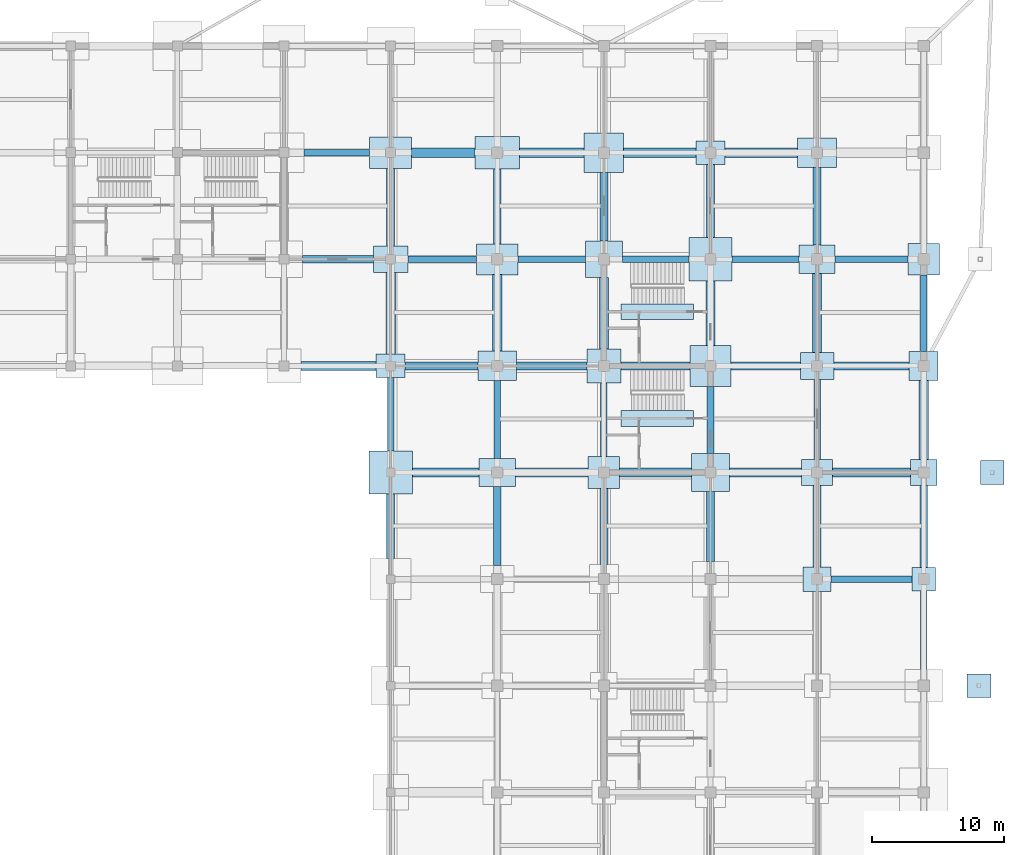
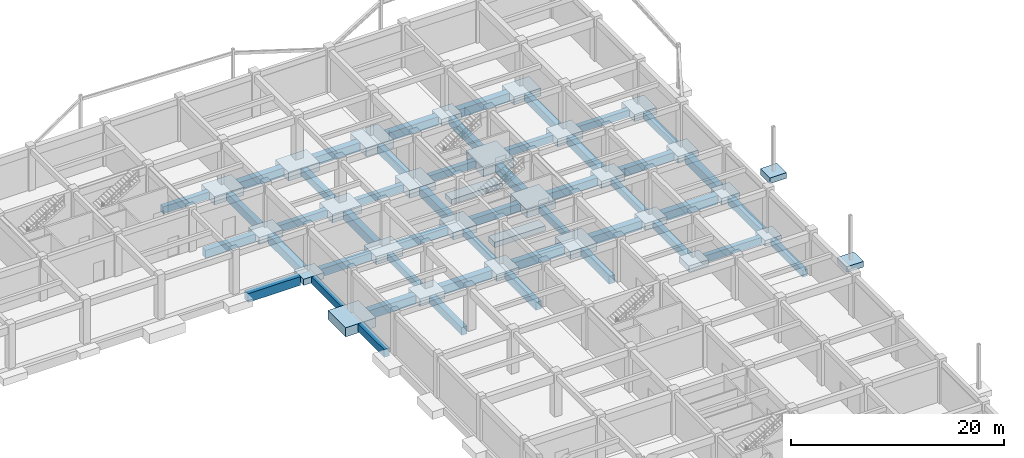
# One storey, part 9 of 67: 76 footings.
"""IFC4 building model written with IfcOpenShell, lengths in metres."""

from ifc_helpers import new_model, si_unit, direction, frame, origin, origin_2d, place, context, subcontext, project, spatial, rectangle, extrude, material, type_object, element, save


model = new_model("IFC4")

# Units and contexts
model_context = context("Model", 3, precision=1e-05, world=origin(), true_north=direction((0.0, 1.0)))
body_context = subcontext(model_context, "Body", "Model", "MODEL_VIEW")
ifc_project = project(units=[si_unit("LENGTHUNIT", "METRE"), si_unit("AREAUNIT", "SQUARE_METRE"), si_unit("VOLUMEUNIT", "CUBIC_METRE"), si_unit("PLANEANGLEUNIT", "RADIAN"), si_unit("MASSUNIT", "GRAM", prefix="KILO")], contexts=[model_context])

# Site, building, storey
site_placement = place(None, origin())
site = spatial("IfcSite", under=ifc_project, at=site_placement, CompositionType="ELEMENT")
building_placement = place(site_placement, origin())
building = spatial("IfcBuilding", under=site, at=building_placement, Name="Vaudrelin Polytechnic", CompositionType="ELEMENT")
storey_placement = place(building_placement, frame((0.0, 0.0, -5.10009765625)))
storey = spatial("IfcBuildingStorey", under=building, at=storey_placement, Name="B1", CompositionType="ELEMENT", Elevation=-5.10009765625)

# Footings
ifc_material = material(Name="Concrete 40 MPa", Category="concrete")
footing_type_1 = type_object("IfcFootingType", Name="FTG-GB-01", PredefinedType="FOOTING_BEAM", material=ifc_material)
footing_1_placement = place(storey_placement, frame((125.5, 113.39990234375, -1.25), z_axis=(0.0, 0.0, 1.0), x_axis=(1.0, 0.0, 0.0)))
element("IfcFooting", 1, at=footing_1_placement, inside=storey, type_object=footing_type_1, Name="Ground tie beam GB-0252", PredefinedType="FOOTING_BEAM", context=body_context, shape_type="SweptSolid", body=[
    extrude(rectangle(XDim=5.0, YDim=0.5, at=origin_2d()), origin(), (0.0, 0.0, 1.0), 0.800048828125),
])
footing_2_placement = place(storey_placement, frame((129.60009765625, 93.52490234375, -1.25), z_axis=(0.0, 0.0, 1.0), x_axis=(1.0, 0.0, 0.0)))
element("IfcFooting", 2, at=footing_2_placement, inside=storey, type_object=footing_type_1, Name="Ground tie beam GB-0276", PredefinedType="FOOTING_BEAM", context=body_context, shape_type="SweptSolid", body=[
    extrude(rectangle(XDim=0.5, YDim=5.550048828125, at=origin_2d()), origin(), (0.0, 0.0, 1.0), 0.800048828125),
])
footing_3_placement = place(storey_placement, frame((133.512451171875, 105.300048828125, -1.25), z_axis=(0.0, 0.0, 1.0), x_axis=(1.0, 0.0, 0.0)))
element("IfcFooting", 3, at=footing_3_placement, inside=storey, type_object=footing_type_1, Name="Ground tie beam GB-0279", PredefinedType="FOOTING_BEAM", context=body_context, shape_type="SweptSolid", body=[
    extrude(rectangle(XDim=5.22509765625, YDim=0.5, at=origin_2d()), origin(), (0.0, 0.0, 1.0), 0.800048828125),
])
footing_4_placement = place(storey_placement, frame((137.699951171875, 93.125, -1.25), z_axis=(0.0, 0.0, 1.0), x_axis=(1.0, 0.0, 0.0)))
element("IfcFooting", 4, at=footing_4_placement, inside=storey, type_object=footing_type_1, Name="Ground tie beam GB-0303", PredefinedType="FOOTING_BEAM", context=body_context, shape_type="SweptSolid", body=[
    extrude(rectangle(XDim=0.5, YDim=5.89990234375, at=origin_2d()), origin(), (0.0, 0.0, 1.0), 0.800048828125),
])
footing_5_placement = place(storey_placement, frame((141.83740234375, 105.300048828125, -1.25), z_axis=(0.0, 0.0, 1.0), x_axis=(1.0, 0.0, 0.0)))
element("IfcFooting", 5, at=footing_5_placement, inside=storey, type_object=footing_type_1, Name="Ground tie beam GB-0306", PredefinedType="FOOTING_BEAM", context=body_context, shape_type="SweptSolid", body=[
    extrude(rectangle(XDim=5.125, YDim=0.5, at=origin_2d()), origin(), (0.0, 0.0, 1.0), 0.800048828125),
])
footing_6_placement = place(storey_placement, frame((145.800048828125, 93.10009765625, -1.25), z_axis=(0.0, 0.0, 1.0), x_axis=(1.0, 0.0, 0.0)))
element("IfcFooting", 6, at=footing_6_placement, inside=storey, type_object=footing_type_1, Name="Ground tie beam GB-0330", PredefinedType="FOOTING_BEAM", context=body_context, shape_type="SweptSolid", body=[
    extrude(rectangle(XDim=0.5, YDim=5.60009765625, at=origin_2d()), origin(), (0.0, 0.0, 1.0), 0.800048828125),
])
footing_7_placement = place(storey_placement, frame((149.72509765625, 105.300048828125, -1.25), z_axis=(0.0, 0.0, 1.0), x_axis=(1.0, 0.0, 0.0)))
element("IfcFooting", 7, at=footing_7_placement, inside=storey, type_object=footing_type_1, Name="Ground tie beam GB-0333", PredefinedType="FOOTING_BEAM", context=body_context, shape_type="SweptSolid", body=[
    extrude(rectangle(XDim=5.050048828125, YDim=0.5, at=origin_2d()), origin(), (0.0, 0.0, 1.0), 0.800048828125),
])
footing_8_placement = place(storey_placement, frame((153.89990234375, 93.10009765625, -1.25), z_axis=(0.0, 0.0, 1.0), x_axis=(1.0, 0.0, 0.0)))
element("IfcFooting", 8, at=footing_8_placement, inside=storey, type_object=footing_type_1, Name="Ground tie beam GB-0357", PredefinedType="FOOTING_BEAM", context=body_context, shape_type="SweptSolid", body=[
    extrude(rectangle(XDim=0.5, YDim=5.10009765625, at=origin_2d()), origin(), (0.0, 0.0, 1.0), 0.800048828125),
])
footing_9_placement = place(storey_placement, frame((158.08740234375, 105.300048828125, -1.25), z_axis=(0.0, 0.0, 1.0), x_axis=(1.0, 0.0, 0.0)))
element("IfcFooting", 9, at=footing_9_placement, inside=storey, type_object=footing_type_1, Name="Ground tie beam GB-0360", PredefinedType="FOOTING_BEAM", context=body_context, shape_type="SweptSolid", body=[
    extrude(rectangle(XDim=5.074951171875, YDim=0.5, at=origin_2d()), origin(), (0.0, 0.0, 1.0), 0.800048828125),
])
footing_10_placement = place(storey_placement, frame((166.137451171875, 81.0, -1.25), z_axis=(0.0, 0.0, 1.0), x_axis=(1.0, 0.0, 0.0)))
element("IfcFooting", 10, at=footing_10_placement, inside=storey, type_object=footing_type_1, Name="Ground tie beam GB-0381", PredefinedType="FOOTING_BEAM", context=body_context, shape_type="SweptSolid", body=[
    extrude(rectangle(XDim=6.125, YDim=0.5, at=origin_2d()), origin(), (0.0, 0.0, 1.0), 0.800048828125),
])
footing_11_placement = place(storey_placement, frame((162.0, 93.125, -1.25), z_axis=(0.0, 0.0, 1.0), x_axis=(1.0, 0.0, 0.0)))
element("IfcFooting", 11, at=footing_11_placement, inside=storey, type_object=footing_type_1, Name="Ground tie beam GB-0384", PredefinedType="FOOTING_BEAM", context=body_context, shape_type="SweptSolid", body=[
    extrude(rectangle(XDim=0.5, YDim=6.10009765625, at=origin_2d()), origin(), (0.0, 0.0, 1.0), 0.800048828125),
])
footing_12_placement = place(storey_placement, frame((166.137451171875, 105.300048828125, -1.25), z_axis=(0.0, 0.0, 1.0), x_axis=(1.0, 0.0, 0.0)))
element("IfcFooting", 12, at=footing_12_placement, inside=storey, type_object=footing_type_1, Name="Ground tie beam GB-0387", PredefinedType="FOOTING_BEAM", context=body_context, shape_type="SweptSolid", body=[
    extrude(rectangle(XDim=5.52490234375, YDim=0.5, at=origin_2d()), origin(), (0.0, 0.0, 1.0), 0.800048828125),
])
footing_13_placement = place(storey_placement, frame((170.10009765625, 77.112548828125, -1.25), z_axis=(0.0, 0.0, 1.0), x_axis=(1.0, 0.0, 0.0)))
element("IfcFooting", 13, at=footing_13_placement, inside=storey, type_object=footing_type_1, Name="Ground tie beam GB-0399", PredefinedType="FOOTING_BEAM", context=body_context, shape_type="SweptSolid", body=[
    extrude(rectangle(XDim=0.5, YDim=5.97509765625, at=origin_2d()), origin(), (0.0, 0.0, 1.0), 0.800048828125),
])
footing_14_placement = place(storey_placement, frame((170.10009765625, 101.199951171875, -1.25), z_axis=(0.0, 0.0, 1.0), x_axis=(1.0, 0.0, 0.0)))
element("IfcFooting", 14, at=footing_14_placement, inside=storey, type_object=footing_type_1, Name="Ground tie beam GB-0402", PredefinedType="FOOTING_BEAM", context=body_context, shape_type="SweptSolid", body=[
    extrude(rectangle(XDim=0.5, YDim=5.800048828125, at=origin_2d()), origin(), (0.0, 0.0, 1.0), 0.800048828125),
])
footing_type_2 = type_object("IfcFootingType", Name="FTG-GB-02", PredefinedType="FOOTING_BEAM", material=ifc_material)
footing_15_placement = place(storey_placement, frame((125.60009765625, 105.300048828125, -1.349853515625), z_axis=(0.0, 0.0, 1.0), x_axis=(1.0, 0.0, 0.0)))
element("IfcFooting", 15, at=footing_15_placement, inside=storey, type_object=footing_type_2, Name="Ground tie beam GB-0250", PredefinedType="FOOTING_BEAM", context=body_context, shape_type="SweptSolid", body=[
    extrude(rectangle(XDim=5.39990234375, YDim=0.60009765625, at=origin_2d()), origin(), (0.0, 0.0, 1.0), 0.89990234375),
])
footing_16_placement = place(storey_placement, frame((129.60009765625, 85.0, -1.349853515625), z_axis=(0.0, 0.0, 1.0), x_axis=(1.0, 0.0, 0.0)))
element("IfcFooting", 16, at=footing_16_placement, inside=storey, type_object=footing_type_2, Name="Ground tie beam GB-0274", PredefinedType="FOOTING_BEAM", context=body_context, shape_type="SweptSolid", body=[
    extrude(rectangle(XDim=0.60009765625, YDim=4.89990234375, at=origin_2d()), origin(), (0.0, 0.0, 1.0), 0.89990234375),
])
footing_17_placement = place(storey_placement, frame((133.46240234375, 97.199951171875, -1.349853515625), z_axis=(0.0, 0.0, 1.0), x_axis=(1.0, 0.0, 0.0)))
element("IfcFooting", 17, at=footing_17_placement, inside=storey, type_object=footing_type_2, Name="Ground tie beam GB-0277", PredefinedType="FOOTING_BEAM", context=body_context, shape_type="SweptSolid", body=[
    extrude(rectangle(XDim=5.52490234375, YDim=0.60009765625, at=origin_2d()), origin(), (0.0, 0.0, 1.0), 0.89990234375),
])
footing_18_placement = place(storey_placement, frame((129.60009765625, 109.25, -1.349853515625), z_axis=(0.0, 0.0, 1.0), x_axis=(1.0, 0.0, 0.0)))
element("IfcFooting", 18, at=footing_18_placement, inside=storey, type_object=footing_type_2, Name="Ground tie beam GB-0280", PredefinedType="FOOTING_BEAM", context=body_context, shape_type="SweptSolid", body=[
    extrude(rectangle(XDim=0.60009765625, YDim=5.89990234375, at=origin_2d()), origin(), (0.0, 0.0, 1.0), 0.89990234375),
])
footing_19_placement = place(storey_placement, frame((137.699951171875, 85.02490234375, -1.349853515625), z_axis=(0.0, 0.0, 1.0), x_axis=(1.0, 0.0, 0.0)))
element("IfcFooting", 19, at=footing_19_placement, inside=storey, type_object=footing_type_2, Name="Ground tie beam GB-0301", PredefinedType="FOOTING_BEAM", context=body_context, shape_type="SweptSolid", body=[
    extrude(rectangle(XDim=0.60009765625, YDim=6.0, at=origin_2d()), origin(), (0.0, 0.0, 1.0), 0.89990234375),
])
footing_20_placement = place(storey_placement, frame((141.83740234375, 97.199951171875, -1.349853515625), z_axis=(0.0, 0.0, 1.0), x_axis=(1.0, 0.0, 0.0)))
element("IfcFooting", 20, at=footing_20_placement, inside=storey, type_object=footing_type_2, Name="Ground tie beam GB-0304", PredefinedType="FOOTING_BEAM", context=body_context, shape_type="SweptSolid", body=[
    extrude(rectangle(XDim=5.324951171875, YDim=0.60009765625, at=origin_2d()), origin(), (0.0, 0.0, 1.0), 0.89990234375),
])
footing_21_placement = place(storey_placement, frame((137.699951171875, 109.324951171875, -1.349853515625), z_axis=(0.0, 0.0, 1.0), x_axis=(1.0, 0.0, 0.0)))
element("IfcFooting", 21, at=footing_21_placement, inside=storey, type_object=footing_type_2, Name="Ground tie beam GB-0307", PredefinedType="FOOTING_BEAM", context=body_context, shape_type="SweptSolid", body=[
    extrude(rectangle(XDim=0.60009765625, YDim=5.699951171875, at=origin_2d()), origin(), (0.0, 0.0, 1.0), 0.89990234375),
])
footing_22_placement = place(storey_placement, frame((145.800048828125, 85.0, -1.349853515625), z_axis=(0.0, 0.0, 1.0), x_axis=(1.0, 0.0, 0.0)))
element("IfcFooting", 22, at=footing_22_placement, inside=storey, type_object=footing_type_2, Name="Ground tie beam GB-0328", PredefinedType="FOOTING_BEAM", context=body_context, shape_type="SweptSolid", body=[
    extrude(rectangle(XDim=0.60009765625, YDim=5.800048828125, at=origin_2d()), origin(), (0.0, 0.0, 1.0), 0.89990234375),
])
footing_23_placement = place(storey_placement, frame((149.72509765625, 97.199951171875, -1.349853515625), z_axis=(0.0, 0.0, 1.0), x_axis=(1.0, 0.0, 0.0)))
element("IfcFooting", 23, at=footing_23_placement, inside=storey, type_object=footing_type_2, Name="Ground tie beam GB-0331", PredefinedType="FOOTING_BEAM", context=body_context, shape_type="SweptSolid", body=[
    extrude(rectangle(XDim=5.25, YDim=0.60009765625, at=origin_2d()), origin(), (0.0, 0.0, 1.0), 0.89990234375),
])
footing_24_placement = place(storey_placement, frame((145.800048828125, 109.300048828125, -1.349853515625), z_axis=(0.0, 0.0, 1.0), x_axis=(1.0, 0.0, 0.0)))
element("IfcFooting", 24, at=footing_24_placement, inside=storey, type_object=footing_type_2, Name="Ground tie beam GB-0334", PredefinedType="FOOTING_BEAM", context=body_context, shape_type="SweptSolid", body=[
    extrude(rectangle(XDim=0.60009765625, YDim=5.199951171875, at=origin_2d()), origin(), (0.0, 0.0, 1.0), 0.89990234375),
])
footing_25_placement = place(storey_placement, frame((153.89990234375, 85.0, -1.349853515625), z_axis=(0.0, 0.0, 1.0), x_axis=(1.0, 0.0, 0.0)))
element("IfcFooting", 25, at=footing_25_placement, inside=storey, type_object=footing_type_2, Name="Ground tie beam GB-0355", PredefinedType="FOOTING_BEAM", context=body_context, shape_type="SweptSolid", body=[
    extrude(rectangle(XDim=0.60009765625, YDim=5.300048828125, at=origin_2d()), origin(), (0.0, 0.0, 1.0), 0.89990234375),
])
footing_26_placement = place(storey_placement, frame((158.08740234375, 97.199951171875, -1.349853515625), z_axis=(0.0, 0.0, 1.0), x_axis=(1.0, 0.0, 0.0)))
element("IfcFooting", 26, at=footing_26_placement, inside=storey, type_object=footing_type_2, Name="Ground tie beam GB-0358", PredefinedType="FOOTING_BEAM", context=body_context, shape_type="SweptSolid", body=[
    extrude(rectangle(XDim=5.27490234375, YDim=0.60009765625, at=origin_2d()), origin(), (0.0, 0.0, 1.0), 0.89990234375),
])
footing_27_placement = place(storey_placement, frame((153.89990234375, 109.72509765625, -1.349853515625), z_axis=(0.0, 0.0, 1.0), x_axis=(1.0, 0.0, 0.0)))
element("IfcFooting", 27, at=footing_27_placement, inside=storey, type_object=footing_type_2, Name="Ground tie beam GB-0361", PredefinedType="FOOTING_BEAM", context=body_context, shape_type="SweptSolid", body=[
    extrude(rectangle(XDim=0.60009765625, YDim=5.550048828125, at=origin_2d()), origin(), (0.0, 0.0, 1.0), 0.89990234375),
])
footing_28_placement = place(storey_placement, frame((162.0, 85.02490234375, -1.349853515625), z_axis=(0.0, 0.0, 1.0), x_axis=(1.0, 0.0, 0.0)))
element("IfcFooting", 28, at=footing_28_placement, inside=storey, type_object=footing_type_2, Name="Ground tie beam GB-0382", PredefinedType="FOOTING_BEAM", context=body_context, shape_type="SweptSolid", body=[
    extrude(rectangle(XDim=0.60009765625, YDim=6.199951171875, at=origin_2d()), origin(), (0.0, 0.0, 1.0), 0.89990234375),
])
footing_29_placement = place(storey_placement, frame((166.137451171875, 97.199951171875, -1.349853515625), z_axis=(0.0, 0.0, 1.0), x_axis=(1.0, 0.0, 0.0)))
element("IfcFooting", 29, at=footing_29_placement, inside=storey, type_object=footing_type_2, Name="Ground tie beam GB-0385", PredefinedType="FOOTING_BEAM", context=body_context, shape_type="SweptSolid", body=[
    extrude(rectangle(XDim=5.72509765625, YDim=0.60009765625, at=origin_2d()), origin(), (0.0, 0.0, 1.0), 0.89990234375),
])
footing_30_placement = place(storey_placement, frame((162.0, 109.324951171875, -1.349853515625), z_axis=(0.0, 0.0, 1.0), x_axis=(1.0, 0.0, 0.0)))
element("IfcFooting", 30, at=footing_30_placement, inside=storey, type_object=footing_type_2, Name="Ground tie beam GB-0388", PredefinedType="FOOTING_BEAM", context=body_context, shape_type="SweptSolid", body=[
    extrude(rectangle(XDim=0.60009765625, YDim=5.89990234375, at=origin_2d()), origin(), (0.0, 0.0, 1.0), 0.89990234375),
])
footing_31_placement = place(storey_placement, frame((170.10009765625, 85.0, -1.349853515625), z_axis=(0.0, 0.0, 1.0), x_axis=(1.0, 0.0, 0.0)))
element("IfcFooting", 31, at=footing_31_placement, inside=storey, type_object=footing_type_2, Name="Ground tie beam GB-0400", PredefinedType="FOOTING_BEAM", context=body_context, shape_type="SweptSolid", body=[
    extrude(rectangle(XDim=0.60009765625, YDim=6.199951171875, at=origin_2d()), origin(), (0.0, 0.0, 1.0), 0.89990234375),
])
footing_type_3 = type_object("IfcFootingType", Name="FTG-GB-03", PredefinedType="FOOTING_BEAM", material=ifc_material)
footing_32_placement = place(storey_placement, frame((125.64990234375, 97.199951171875, -1.449951171875), z_axis=(0.0, 0.0, 1.0), x_axis=(1.0, 0.0, 0.0)))
element("IfcFooting", 32, at=footing_32_placement, inside=storey, type_object=footing_type_3, Name="Ground tie beam GB-0248", PredefinedType="FOOTING_BEAM", context=body_context, shape_type="SweptSolid", body=[
    extrude(rectangle(XDim=5.699951171875, YDim=0.699951171875, at=origin_2d()), origin(), (0.0, 0.0, 1.0), 1.0),
])
footing_33_placement = place(storey_placement, frame((133.78759765625, 89.10009765625, -1.449951171875), z_axis=(0.0, 0.0, 1.0), x_axis=(1.0, 0.0, 0.0)))
element("IfcFooting", 33, at=footing_33_placement, inside=storey, type_object=footing_type_3, Name="Ground tie beam GB-0275", PredefinedType="FOOTING_BEAM", context=body_context, shape_type="SweptSolid", body=[
    extrude(rectangle(XDim=5.074951171875, YDim=0.699951171875, at=origin_2d()), origin(), (0.0, 0.0, 1.0), 1.0),
])
footing_34_placement = place(storey_placement, frame((129.60009765625, 101.199951171875, -1.449951171875), z_axis=(0.0, 0.0, 1.0), x_axis=(1.0, 0.0, 0.0)))
element("IfcFooting", 34, at=footing_34_placement, inside=storey, type_object=footing_type_3, Name="Ground tie beam GB-0278", PredefinedType="FOOTING_BEAM", context=body_context, shape_type="SweptSolid", body=[
    extrude(rectangle(XDim=0.699951171875, YDim=6.199951171875, at=origin_2d()), origin(), (0.0, 0.0, 1.0), 1.0),
])
footing_35_placement = place(storey_placement, frame((133.612548828125, 113.39990234375, -1.449951171875), z_axis=(0.0, 0.0, 1.0), x_axis=(1.0, 0.0, 0.0)))
element("IfcFooting", 35, at=footing_35_placement, inside=storey, type_object=footing_type_3, Name="Ground tie beam GB-0281", PredefinedType="FOOTING_BEAM", context=body_context, shape_type="SweptSolid", body=[
    extrude(rectangle(XDim=4.824951171875, YDim=0.699951171875, at=origin_2d()), origin(), (0.0, 0.0, 1.0), 1.0),
])
footing_36_placement = place(storey_placement, frame((141.83740234375, 89.10009765625, -1.449951171875), z_axis=(0.0, 0.0, 1.0), x_axis=(1.0, 0.0, 0.0)))
element("IfcFooting", 36, at=footing_36_placement, inside=storey, type_object=footing_type_3, Name="Ground tie beam GB-0302", PredefinedType="FOOTING_BEAM", context=body_context, shape_type="SweptSolid", body=[
    extrude(rectangle(XDim=5.52490234375, YDim=0.699951171875, at=origin_2d()), origin(), (0.0, 0.0, 1.0), 1.0),
])
footing_37_placement = place(storey_placement, frame((137.699951171875, 101.22509765625, -1.449951171875), z_axis=(0.0, 0.0, 1.0), x_axis=(1.0, 0.0, 0.0)))
element("IfcFooting", 37, at=footing_37_placement, inside=storey, type_object=footing_type_3, Name="Ground tie beam GB-0305", PredefinedType="FOOTING_BEAM", context=body_context, shape_type="SweptSolid", body=[
    extrude(rectangle(XDim=0.699951171875, YDim=5.800048828125, at=origin_2d()), origin(), (0.0, 0.0, 1.0), 1.0),
])
footing_38_placement = place(storey_placement, frame((141.83740234375, 113.39990234375, -1.449951171875), z_axis=(0.0, 0.0, 1.0), x_axis=(1.0, 0.0, 0.0)))
element("IfcFooting", 38, at=footing_38_placement, inside=storey, type_object=footing_type_3, Name="Ground tie beam GB-0308", PredefinedType="FOOTING_BEAM", context=body_context, shape_type="SweptSolid", body=[
    extrude(rectangle(XDim=4.925048828125, YDim=0.699951171875, at=origin_2d()), origin(), (0.0, 0.0, 1.0), 1.0),
])
footing_39_placement = place(storey_placement, frame((149.72509765625, 89.10009765625, -1.449951171875), z_axis=(0.0, 0.0, 1.0), x_axis=(1.0, 0.0, 0.0)))
element("IfcFooting", 39, at=footing_39_placement, inside=storey, type_object=footing_type_3, Name="Ground tie beam GB-0329", PredefinedType="FOOTING_BEAM", context=body_context, shape_type="SweptSolid", body=[
    extrude(rectangle(XDim=5.449951171875, YDim=0.699951171875, at=origin_2d()), origin(), (0.0, 0.0, 1.0), 1.0),
])
footing_40_placement = place(storey_placement, frame((145.800048828125, 101.199951171875, -1.449951171875), z_axis=(0.0, 0.0, 1.0), x_axis=(1.0, 0.0, 0.0)))
element("IfcFooting", 40, at=footing_40_placement, inside=storey, type_object=footing_type_3, Name="Ground tie beam GB-0332", PredefinedType="FOOTING_BEAM", context=body_context, shape_type="SweptSolid", body=[
    extrude(rectangle(XDim=0.699951171875, YDim=5.39990234375, at=origin_2d()), origin(), (0.0, 0.0, 1.0), 1.0),
])
footing_41_placement = place(storey_placement, frame((150.050048828125, 113.39990234375, -1.449951171875), z_axis=(0.0, 0.0, 1.0), x_axis=(1.0, 0.0, 0.0)))
element("IfcFooting", 41, at=footing_41_placement, inside=storey, type_object=footing_type_3, Name="Ground tie beam GB-0335", PredefinedType="FOOTING_BEAM", context=body_context, shape_type="SweptSolid", body=[
    extrude(rectangle(XDim=5.5, YDim=0.699951171875, at=origin_2d()), origin(), (0.0, 0.0, 1.0), 1.0),
])
footing_42_placement = place(storey_placement, frame((158.08740234375, 89.10009765625, -1.449951171875), z_axis=(0.0, 0.0, 1.0), x_axis=(1.0, 0.0, 0.0)))
element("IfcFooting", 42, at=footing_42_placement, inside=storey, type_object=footing_type_3, Name="Ground tie beam GB-0356", PredefinedType="FOOTING_BEAM", context=body_context, shape_type="SweptSolid", body=[
    extrude(rectangle(XDim=5.47509765625, YDim=0.699951171875, at=origin_2d()), origin(), (0.0, 0.0, 1.0), 1.0),
])
footing_43_placement = place(storey_placement, frame((153.89990234375, 101.199951171875, -1.449951171875), z_axis=(0.0, 0.0, 1.0), x_axis=(1.0, 0.0, 0.0)))
element("IfcFooting", 43, at=footing_43_placement, inside=storey, type_object=footing_type_3, Name="Ground tie beam GB-0359", PredefinedType="FOOTING_BEAM", context=body_context, shape_type="SweptSolid", body=[
    extrude(rectangle(XDim=0.699951171875, YDim=4.89990234375, at=origin_2d()), origin(), (0.0, 0.0, 1.0), 1.0),
])
footing_44_placement = place(storey_placement, frame((157.762451171875, 113.39990234375, -1.449951171875), z_axis=(0.0, 0.0, 1.0), x_axis=(1.0, 0.0, 0.0)))
element("IfcFooting", 44, at=footing_44_placement, inside=storey, type_object=footing_type_3, Name="Ground tie beam GB-0362", PredefinedType="FOOTING_BEAM", context=body_context, shape_type="SweptSolid", body=[
    extrude(rectangle(XDim=5.52490234375, YDim=0.699951171875, at=origin_2d()), origin(), (0.0, 0.0, 1.0), 1.0),
])
footing_45_placement = place(storey_placement, frame((166.137451171875, 89.10009765625, -1.449951171875), z_axis=(0.0, 0.0, 1.0), x_axis=(1.0, 0.0, 0.0)))
element("IfcFooting", 45, at=footing_45_placement, inside=storey, type_object=footing_type_3, Name="Ground tie beam GB-0383", PredefinedType="FOOTING_BEAM", context=body_context, shape_type="SweptSolid", body=[
    extrude(rectangle(XDim=5.925048828125, YDim=0.699951171875, at=origin_2d()), origin(), (0.0, 0.0, 1.0), 1.0),
])
for number, where, z_axis, x_axis, name in (
    (46, (162.0, 101.22509765625, -1.449951171875), (0.0, 0.0, 1.0), (1.0, 0.0, 0.0), "Ground tie beam GB-0386"),
    (47, (170.10009765625, 93.10009765625, -1.449951171875), (0.0, 0.0, 1.0), (1.0, 0.0, 0.0), "Ground tie beam GB-0401"),
):
    element("IfcFooting", number, at=place(storey_placement, frame(where, z_axis=z_axis, x_axis=x_axis)), inside=storey, type_object=footing_type_3, Name=name, PredefinedType="FOOTING_BEAM", context=body_context, shape_type="SweptSolid", body=[
        extrude(rectangle(XDim=0.699951171875, YDim=6.0, at=origin_2d()), origin(), (0.0, 0.0, 1.0), 1.0),
    ])
footing_type_4 = type_object("IfcFootingType", Name="FTG-PF-01", PredefinedType="PAD_FOOTING", material=ifc_material)
for number, where, z_axis, x_axis, name in (
    (48, (170.10009765625, 81.0, -1.099853515625), (0.0, 0.0, 1.0), (1.0, 0.0, 0.0), "Spread footing 21-10"),
    (49, (174.300048828125, 72.89990234375, -0.64990234375), (0.0, 0.0, 1.0), (1.0, 0.0, 0.0), "Sculptural prow footing E_OR2_1"),
    (50, (175.300048828125, 89.10009765625, -0.64990234375), (0.0, 0.0, 1.0), (1.0, 0.0, 0.0), "Sculptural prow footing E_OR2_2"),
):
    element("IfcFooting", number, at=place(storey_placement, frame(where, z_axis=z_axis, x_axis=x_axis)), inside=storey, type_object=footing_type_4, Name=name, PredefinedType="PAD_FOOTING", context=body_context, shape_type="SweptSolid", body=[
        extrude(rectangle(XDim=1.800048828125, YDim=1.800048828125, at=origin_2d()), origin(), (0.0, 0.0, 1.0), 0.64990234375),
    ])
footing_type_5 = type_object("IfcFootingType", Name="FTG-PF-02", PredefinedType="PAD_FOOTING", material=ifc_material)
footing_46_placement = place(storey_placement, frame((170.10009765625, 89.10009765625, -1.14990234375), z_axis=(0.0, 0.0, 1.0), x_axis=(1.0, 0.0, 0.0)))
element("IfcFooting", 51, at=footing_46_placement, inside=storey, type_object=footing_type_5, Name="Spread footing 21-11", PredefinedType="PAD_FOOTING", context=body_context, shape_type="SweptSolid", body=[
    extrude(rectangle(XDim=2.0, YDim=2.0, at=origin_2d()), origin(), (0.0, 0.0, 1.0), 0.699951171875),
])
footing_type_6 = type_object("IfcFootingType", Name="FTG-PF-03", PredefinedType="PAD_FOOTING", material=ifc_material)
footing_47_placement = place(storey_placement, frame((170.10009765625, 97.199951171875, -1.199951171875), z_axis=(0.0, 0.0, 1.0), x_axis=(1.0, 0.0, 0.0)))
element("IfcFooting", 52, at=footing_47_placement, inside=storey, type_object=footing_type_6, Name="Spread footing 21-12", PredefinedType="PAD_FOOTING", context=body_context, shape_type="SweptSolid", body=[
    extrude(rectangle(XDim=2.199951171875, YDim=2.199951171875, at=origin_2d()), origin(), (0.0, 0.0, 1.0), 0.75),
])
footing_type_7 = type_object("IfcFootingType", Name="FTG-PF-04", PredefinedType="PAD_FOOTING", material=ifc_material)
for number, where, z_axis, x_axis, name in (
    (53, (145.800048828125, 89.10009765625, -1.25), (0.0, 0.0, 1.0), (1.0, 0.0, 0.0), "Spread footing 18-11"),
    (54, (170.10009765625, 105.300048828125, -1.25), (0.0, 0.0, 1.0), (1.0, 0.0, 0.0), "Spread footing 21-13"),
):
    element("IfcFooting", number, at=place(storey_placement, frame(where, z_axis=z_axis, x_axis=x_axis)), inside=storey, type_object=footing_type_7, Name=name, PredefinedType="PAD_FOOTING", context=body_context, shape_type="SweptSolid", body=[
        extrude(rectangle(XDim=2.39990234375, YDim=2.39990234375, at=origin_2d()), origin(), (0.0, 0.0, 1.0), 0.800048828125),
    ])
footing_type_8 = type_object("IfcFootingType", Name="FTG-PF-05", PredefinedType="PAD_FOOTING", material=ifc_material)
footing_48_placement = place(storey_placement, frame((145.800048828125, 97.199951171875, -1.300048828125), z_axis=(0.0, 0.0, 1.0), x_axis=(1.0, 0.0, 0.0)))
element("IfcFooting", 55, at=footing_48_placement, inside=storey, type_object=footing_type_8, Name="Spread footing 18-12", PredefinedType="PAD_FOOTING", context=body_context, shape_type="SweptSolid", body=[
    extrude(rectangle(XDim=2.60009765625, YDim=2.60009765625, at=origin_2d()), origin(), (0.0, 0.0, 1.0), 0.85009765625),
])
footing_type_9 = type_object("IfcFootingType", Name="FTG-PF-06", PredefinedType="PAD_FOOTING", material=ifc_material)
footing_49_placement = place(storey_placement, frame((145.800048828125, 105.300048828125, -1.349853515625), z_axis=(0.0, 0.0, 1.0), x_axis=(1.0, 0.0, 0.0)))
element("IfcFooting", 56, at=footing_49_placement, inside=storey, type_object=footing_type_9, Name="Spread footing 18-13", PredefinedType="PAD_FOOTING", context=body_context, shape_type="SweptSolid", body=[
    extrude(rectangle(XDim=2.800048828125, YDim=2.800048828125, at=origin_2d()), origin(), (0.0, 0.0, 1.0), 0.89990234375),
])
footing_type_10 = type_object("IfcFootingType", Name="FTG-PF-07", PredefinedType="PAD_FOOTING", material=ifc_material)
footing_50_placement = place(storey_placement, frame((145.800048828125, 113.39990234375, -1.39990234375), z_axis=(0.0, 0.0, 1.0), x_axis=(1.0, 0.0, 0.0)))
element("IfcFooting", 57, at=footing_50_placement, inside=storey, type_object=footing_type_10, Name="Spread footing 18-14", PredefinedType="PAD_FOOTING", context=body_context, shape_type="SweptSolid", body=[
    extrude(rectangle(XDim=3.0, YDim=3.0, at=origin_2d()), origin(), (0.0, 0.0, 1.0), 0.949951171875),
])
footing_type_11 = type_object("IfcFootingType", Name="FTG-PF-18", PredefinedType="PAD_FOOTING", material=ifc_material)
footing_51_placement = place(storey_placement, frame((153.89990234375, 89.10009765625, -1.349853515625), z_axis=(0.0, 0.0, 1.0), x_axis=(1.0, 0.0, 0.0)))
element("IfcFooting", 58, at=footing_51_placement, inside=storey, type_object=footing_type_11, Name="Spread footing 19-11", PredefinedType="PAD_FOOTING", context=body_context, shape_type="SweptSolid", body=[
    extrude(rectangle(XDim=2.89990234375, YDim=2.89990234375, at=origin_2d()), origin(), (0.0, 0.0, 1.0), 0.89990234375),
])
footing_type_12 = type_object("IfcFootingType", Name="FTG-PF-19", PredefinedType="PAD_FOOTING", material=ifc_material)
footing_52_placement = place(storey_placement, frame((153.89990234375, 97.199951171875, -1.39990234375), z_axis=(0.0, 0.0, 1.0), x_axis=(1.0, 0.0, 0.0)))
element("IfcFooting", 59, at=footing_52_placement, inside=storey, type_object=footing_type_12, Name="Spread footing 19-12", PredefinedType="PAD_FOOTING", context=body_context, shape_type="SweptSolid", body=[
    extrude(rectangle(XDim=3.10009765625, YDim=3.10009765625, at=origin_2d()), origin(), (0.0, 0.0, 1.0), 0.949951171875),
])
footing_type_13 = type_object("IfcFootingType", Name="FTG-PF-20", PredefinedType="PAD_FOOTING", material=ifc_material)
for number, where, z_axis, x_axis, name in (
    (60, (129.60009765625, 89.10009765625, -1.5), (0.0, 0.0, 1.0), (1.0, 0.0, 0.0), "Spread footing 16-11"),
    (61, (153.89990234375, 105.300048828125, -1.5), (0.0, 0.0, 1.0), (1.0, 0.0, 0.0), "Spread footing 19-13"),
):
    element("IfcFooting", number, at=place(storey_placement, frame(where, z_axis=z_axis, x_axis=x_axis)), inside=storey, type_object=footing_type_13, Name=name, PredefinedType="PAD_FOOTING", context=body_context, shape_type="SweptSolid", body=[
        extrude(rectangle(XDim=3.300048828125, YDim=3.300048828125, at=origin_2d()), origin(), (0.0, 0.0, 1.0), 1.050048828125),
    ])
footing_type_14 = type_object("IfcFootingType", Name="FTG-PF-21", PredefinedType="PAD_FOOTING", material=ifc_material)
for number, where, z_axis, x_axis, name in (
    (62, (129.60009765625, 97.199951171875, -1.14990234375), (0.0, 0.0, 1.0), (1.0, 0.0, 0.0), "Spread footing 16-12"),
    (63, (153.89990234375, 113.39990234375, -1.14990234375), (0.0, 0.0, 1.0), (1.0, 0.0, 0.0), "Spread footing 19-14"),
):
    element("IfcFooting", number, at=place(storey_placement, frame(where, z_axis=z_axis, x_axis=x_axis)), inside=storey, type_object=footing_type_14, Name=name, PredefinedType="PAD_FOOTING", context=body_context, shape_type="SweptSolid", body=[
        extrude(rectangle(XDim=2.199951171875, YDim=1.800048828125, at=origin_2d()), origin(), (0.0, 0.0, 1.0), 0.699951171875),
    ])
footing_type_15 = type_object("IfcFootingType", Name="FTG-PF-22", PredefinedType="PAD_FOOTING", material=ifc_material)
footing_53_placement = place(storey_placement, frame((129.60009765625, 105.300048828125, -1.25), z_axis=(0.0, 0.0, 1.0), x_axis=(1.0, 0.0, 0.0)))
element("IfcFooting", 64, at=footing_53_placement, inside=storey, type_object=footing_type_15, Name="Spread footing 16-13", PredefinedType="PAD_FOOTING", context=body_context, shape_type="SweptSolid", body=[
    extrude(rectangle(XDim=2.60009765625, YDim=2.0, at=origin_2d()), origin(), (0.0, 0.0, 1.0), 0.800048828125),
])
footing_type_16 = type_object("IfcFootingType", Name="FTG-PF-23", PredefinedType="PAD_FOOTING", material=ifc_material)
footing_54_placement = place(storey_placement, frame((129.60009765625, 113.39990234375, -1.39990234375), z_axis=(0.0, 0.0, 1.0), x_axis=(1.0, 0.0, 0.0)))
element("IfcFooting", 65, at=footing_54_placement, inside=storey, type_object=footing_type_16, Name="Spread footing 16-14", PredefinedType="PAD_FOOTING", context=body_context, shape_type="SweptSolid", body=[
    extrude(rectangle(XDim=3.199951171875, YDim=2.39990234375, at=origin_2d()), origin(), (0.0, 0.0, 1.0), 0.949951171875),
])
footing_type_17 = type_object("IfcFootingType", Name="FTG-PF-31", PredefinedType="PAD_FOOTING", material=ifc_material)
footing_55_placement = place(storey_placement, frame((162.0, 81.0, -1.14990234375), z_axis=(0.0, 0.0, 1.0), x_axis=(1.0, 0.0, 0.0)))
element("IfcFooting", 66, at=footing_55_placement, inside=storey, type_object=footing_type_17, Name="Spread footing 20-10", PredefinedType="PAD_FOOTING", context=body_context, shape_type="SweptSolid", body=[
    extrude(rectangle(XDim=2.14990234375, YDim=1.85009765625, at=origin_2d()), origin(), (0.0, 0.0, 1.0), 0.699951171875),
])
footing_type_18 = type_object("IfcFootingType", Name="FTG-PF-32", PredefinedType="PAD_FOOTING", material=ifc_material)
footing_56_placement = place(storey_placement, frame((162.0, 89.10009765625, -1.199951171875), z_axis=(0.0, 0.0, 1.0), x_axis=(1.0, 0.0, 0.0)))
element("IfcFooting", 67, at=footing_56_placement, inside=storey, type_object=footing_type_18, Name="Spread footing 20-11", PredefinedType="PAD_FOOTING", context=body_context, shape_type="SweptSolid", body=[
    extrude(rectangle(XDim=2.35009765625, YDim=1.949951171875, at=origin_2d()), origin(), (0.0, 0.0, 1.0), 0.75),
])
footing_type_19 = type_object("IfcFootingType", Name="FTG-PF-33", PredefinedType="PAD_FOOTING", material=ifc_material)
footing_57_placement = place(storey_placement, frame((162.0, 97.199951171875, -1.25), z_axis=(0.0, 0.0, 1.0), x_axis=(1.0, 0.0, 0.0)))
element("IfcFooting", 68, at=footing_57_placement, inside=storey, type_object=footing_type_19, Name="Spread footing 20-12", PredefinedType="PAD_FOOTING", context=body_context, shape_type="SweptSolid", body=[
    extrude(rectangle(XDim=2.550048828125, YDim=2.050048828125, at=origin_2d()), origin(), (0.0, 0.0, 1.0), 0.800048828125),
])
footing_type_20 = type_object("IfcFootingType", Name="FTG-PF-34", PredefinedType="PAD_FOOTING", material=ifc_material)
for number, where, z_axis, x_axis, name in (
    (69, (137.699951171875, 89.10009765625, -1.300048828125), (0.0, 0.0, 1.0), (1.0, 0.0, 0.0), "Spread footing 17-11"),
    (70, (162.0, 105.300048828125, -1.300048828125), (0.0, 0.0, 1.0), (1.0, 0.0, 0.0), "Spread footing 20-13"),
):
    element("IfcFooting", number, at=place(storey_placement, frame(where, z_axis=z_axis, x_axis=x_axis)), inside=storey, type_object=footing_type_20, Name=name, PredefinedType="PAD_FOOTING", context=body_context, shape_type="SweptSolid", body=[
        extrude(rectangle(XDim=2.75, YDim=2.14990234375, at=origin_2d()), origin(), (0.0, 0.0, 1.0), 0.85009765625),
    ])
footing_type_21 = type_object("IfcFootingType", Name="FTG-PF-35", PredefinedType="PAD_FOOTING", material=ifc_material)
for number, where, z_axis, x_axis, name in (
    (71, (137.699951171875, 97.199951171875, -1.349853515625), (0.0, 0.0, 1.0), (1.0, 0.0, 0.0), "Spread footing 17-12"),
    (72, (162.0, 113.39990234375, -1.349853515625), (0.0, 0.0, 1.0), (1.0, 0.0, 0.0), "Spread footing 20-14"),
):
    element("IfcFooting", number, at=place(storey_placement, frame(where, z_axis=z_axis, x_axis=x_axis)), inside=storey, type_object=footing_type_21, Name=name, PredefinedType="PAD_FOOTING", context=body_context, shape_type="SweptSolid", body=[
        extrude(rectangle(XDim=2.949951171875, YDim=2.25, at=origin_2d()), origin(), (0.0, 0.0, 1.0), 0.89990234375),
    ])
footing_type_22 = type_object("IfcFootingType", Name="FTG-PF-36", PredefinedType="PAD_FOOTING", material=ifc_material)
footing_58_placement = place(storey_placement, frame((137.699951171875, 105.300048828125, -1.39990234375), z_axis=(0.0, 0.0, 1.0), x_axis=(1.0, 0.0, 0.0)))
element("IfcFooting", 73, at=footing_58_placement, inside=storey, type_object=footing_type_22, Name="Spread footing 17-13", PredefinedType="PAD_FOOTING", context=body_context, shape_type="SweptSolid", body=[
    extrude(rectangle(XDim=3.14990234375, YDim=2.35009765625, at=origin_2d()), origin(), (0.0, 0.0, 1.0), 0.949951171875),
])
footing_type_23 = type_object("IfcFootingType", Name="FTG-PF-37", PredefinedType="PAD_FOOTING", material=ifc_material)
footing_59_placement = place(storey_placement, frame((137.699951171875, 113.39990234375, -1.449951171875), z_axis=(0.0, 0.0, 1.0), x_axis=(1.0, 0.0, 0.0)))
element("IfcFooting", 74, at=footing_59_placement, inside=storey, type_object=footing_type_23, Name="Spread footing 17-14", PredefinedType="PAD_FOOTING", context=body_context, shape_type="SweptSolid", body=[
    extrude(rectangle(XDim=3.35009765625, YDim=2.449951171875, at=origin_2d()), origin(), (0.0, 0.0, 1.0), 1.0),
])
footing_type_24 = type_object("IfcFootingType", Name="FTG-SF-01", PredefinedType="STRIP_FOOTING", material=ifc_material)
for number, where, z_axis, x_axis, name in (
    (75, (149.85009765625, 101.31005859375, -1.099853515625), (0.0, 0.0, 1.0), (1.0, 0.0, 0.0), "Core C6 stair wall strip footing"),
    (76, (149.85009765625, 93.2099609375, -1.099853515625), (0.0, 0.0, 1.0), (1.0, 0.0, 0.0), "Core C13 stair wall strip footing"),
):
    element("IfcFooting", number, at=place(storey_placement, frame(where, z_axis=z_axis, x_axis=x_axis)), inside=storey, type_object=footing_type_24, Name=name, PredefinedType="STRIP_FOOTING", context=body_context, shape_type="SweptSolid", body=[
        extrude(rectangle(XDim=5.5, YDim=1.199951171875, at=origin_2d()), origin(), (0.0, 0.0, 1.0), 0.60009765625),
    ])

save(model, "model.ifc")
